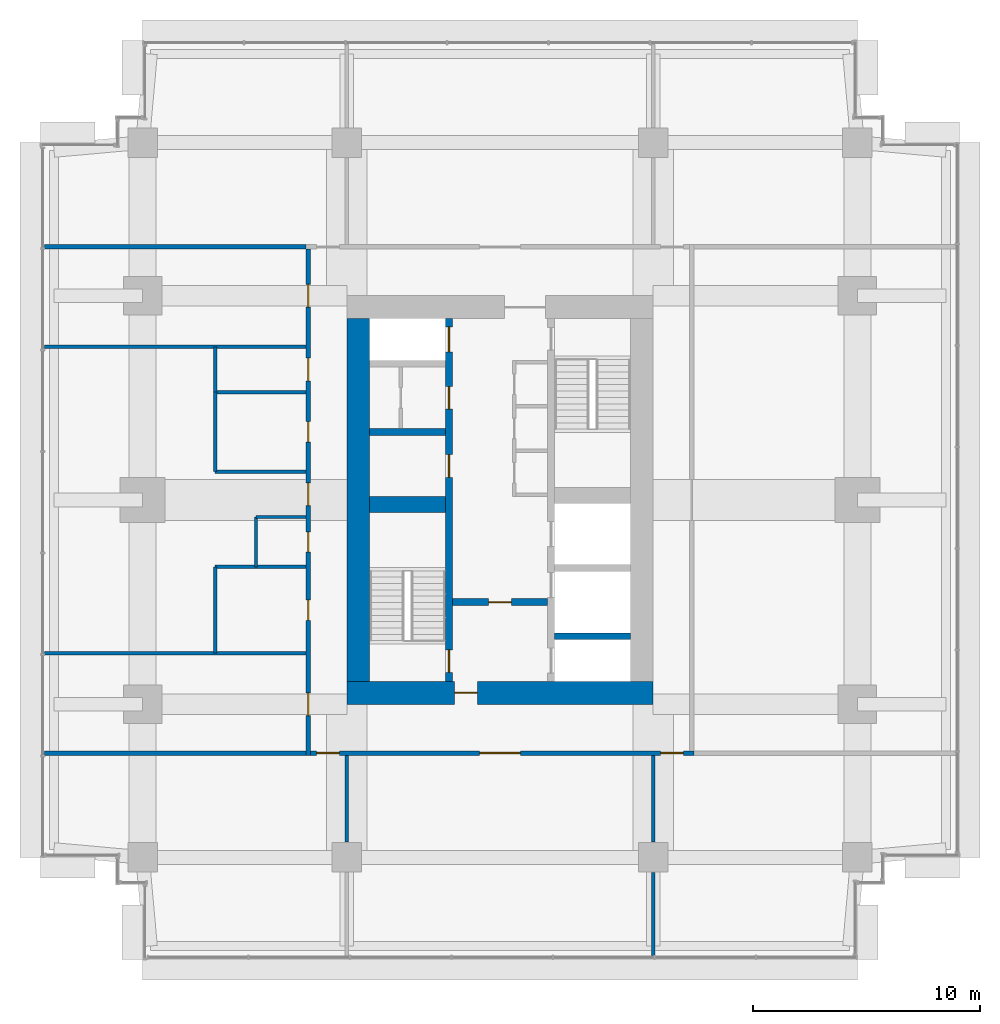
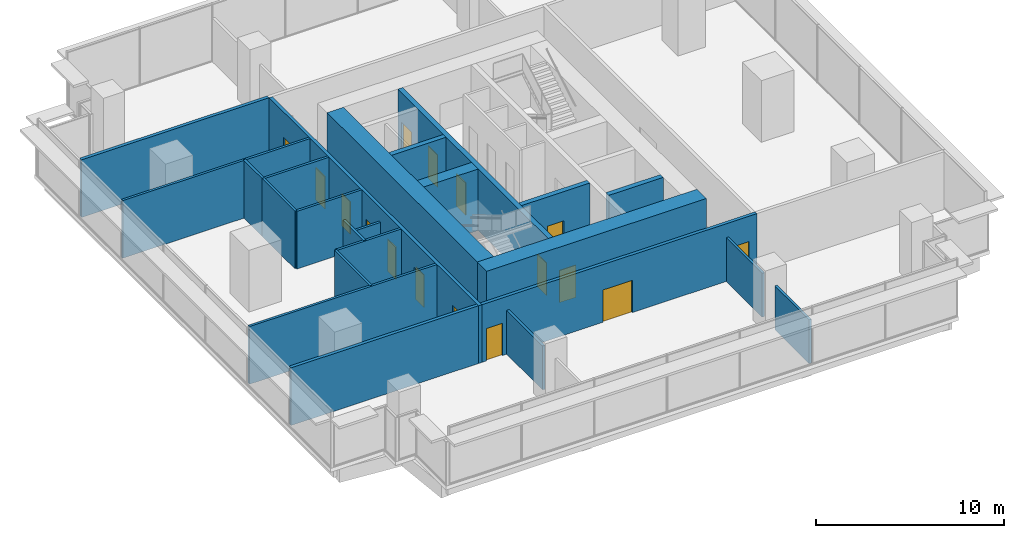
# One storey, part 11 of 13: 24 walls, 16 doors, 16 openings.
"""IFC4 building model written with IfcOpenShell, lengths in metres."""

from ifc_helpers import new_model, si_unit, direction, frame, frame_2d, origin, place, context, subcontext, project, spatial, rectangle, extrude, material, layer, layer_set, type_object, element, fill, save


model = new_model("IFC4")

# Units and contexts
model_context = context("Model", 3, precision=1e-05, world=origin(), true_north=direction((0.0, 1.0)))
body_context = subcontext(model_context, "Body", "Model", "MODEL_VIEW")
ifc_project = project(units=[si_unit("LENGTHUNIT", "METRE"), si_unit("AREAUNIT", "SQUARE_METRE"), si_unit("VOLUMEUNIT", "CUBIC_METRE"), si_unit("PLANEANGLEUNIT", "RADIAN"), si_unit("MASSUNIT", "GRAM", prefix="KILO")], contexts=[model_context])

# Site, building, storey
site_placement = place(None, origin())
site = spatial("IfcSite", under=ifc_project, at=site_placement, CompositionType="ELEMENT")
building_placement = place(site_placement, origin())
building = spatial("IfcBuilding", under=site, at=building_placement, Name="Namib Vertical Campus", CompositionType="ELEMENT")
storey_placement = place(building_placement, frame((0.0, 0.0, 293.0)))
storey = spatial("IfcBuildingStorey", under=building, at=storey_placement, Name="L69", CompositionType="ELEMENT", Elevation=293.0)

# Wall, openings, doors
ifc_material_1 = material(Name="Concrete C60/75", Category="concrete")
ifc_layer_1 = layer(ifc_material_1, 0.300048828125)
ifc_layer_set_1 = layer_set([ifc_layer_1], Name="Concrete C60/75")
wall_type_1 = type_object("IfcWallType", Name="Core inner wall 300", PredefinedType="SHEAR", material=ifc_layer_set_1)
wall_1_placement = place(storey_placement, frame((18.0, 12.25, 0.0), z_axis=(0.0, 0.0, 1.0), x_axis=(0.0, 1.0, 0.0)))
wall_1 = element("IfcWall", 1, at=wall_1_placement, inside=storey, type_object=wall_type_1, Name="Core inner wall A L69 W1", PredefinedType="SHEAR", context=body_context, shape_type="SweptSolid", body=[
    extrude(rectangle(XDim=16.0, YDim=0.300048828125, at=frame_2d((8.0, 0.0))), origin(), (0.0, 0.0, 1.0), 4.0),
])
opening_1_placement = place(wall_1_placement, frame((0.39990234375, 0.0, 0.0)))
opening_1 = element("IfcOpeningElement", 2, at=opening_1_placement, cuts=wall_1, Name="Opening FD1", PredefinedType="OPENING", context=body_context, shape_type="SweptSolid", body=[
    extrude(rectangle(XDim=1.0, YDim=2.10009765625, at=frame_2d((0.5, 1.050048828125))), frame((0.0, 0.159912109375, 0.0), z_axis=(0.0, -1.0, 0.0), x_axis=(1.0, 0.0, 0.0)), (0.0, 0.0, 1.0), 0.320068359375),
])
opening_2_placement = place(wall_1_placement, frame((14.52490234375, 0.0, 0.0)))
opening_2 = element("IfcOpeningElement", 3, at=opening_2_placement, cuts=wall_1, Name="Opening LD1", PredefinedType="OPENING", context=body_context, shape_type="SweptSolid", body=[
    extrude(rectangle(XDim=1.10009765625, YDim=2.10009765625, at=frame_2d((0.550048828125, 1.050048828125))), frame((0.0, 0.159912109375, 0.0), z_axis=(0.0, -1.0, 0.0), x_axis=(1.0, 0.0, 0.0)), (0.0, 0.0, 1.0), 0.320068359375),
])
opening_3_placement = place(wall_1_placement, frame((9.0, 0.0, 0.0)))
opening_3 = element("IfcOpeningElement", 4, at=opening_3_placement, cuts=wall_1, Name="Opening D1", PredefinedType="OPENING", context=body_context, shape_type="SweptSolid", body=[
    extrude(rectangle(XDim=1.0, YDim=2.10009765625, at=frame_2d((0.5, 1.050048828125))), frame((0.0, 0.159912109375, 0.0), z_axis=(0.0, -1.0, 0.0), x_axis=(1.0, 0.0, 0.0)), (0.0, 0.0, 1.0), 0.320068359375),
])
opening_4_placement = place(wall_1_placement, frame((12.0, 0.0, 0.0)))
opening_4 = element("IfcOpeningElement", 5, at=opening_4_placement, cuts=wall_1, Name="Opening D1", PredefinedType="OPENING", context=body_context, shape_type="SweptSolid", body=[
    extrude(rectangle(XDim=1.0, YDim=2.10009765625, at=frame_2d((0.5, 1.050048828125))), frame((0.0, 0.159912109375, 0.0), z_axis=(0.0, -1.0, 0.0), x_axis=(1.0, 0.0, 0.0)), (0.0, 0.0, 1.0), 0.320068359375),
])
ifc_material_2 = material(Name="Timber door leaf", Category="wood")
door_type_1 = type_object("IfcDoorType", Name="Door single 1000x2100", OperationType="SINGLE_SWING_LEFT", PredefinedType="DOOR", material=ifc_material_2)
door_1_placement = place(opening_3_placement, origin())
door_1 = element("IfcDoor", 6, at=door_1_placement, inside=storey, type_object=door_type_1, Name="Door D1 Staff pantry A L69 P1", OperationType="SINGLE_SWING_LEFT", OverallHeight=2.10009765625, OverallWidth=1.0, PredefinedType="DOOR", context=body_context, shape_type="SweptSolid", body=[
    extrude(rectangle(XDim=1.0, YDim=2.10009765625, at=frame_2d((0.5, 1.050048828125))), frame((0.0, 0.02490234375, 0.0), z_axis=(0.0, -1.0, 0.0), x_axis=(1.0, 0.0, 0.0)), (0.0, 0.0, 1.0), 0.050048828125),
])
fill(opening_3, door_1)
door_2_placement = place(opening_4_placement, origin())
door_2 = element("IfcDoor", 7, at=door_2_placement, inside=storey, type_object=door_type_1, Name="Door D1 Records store A L69 P2", OperationType="SINGLE_SWING_LEFT", OverallHeight=2.10009765625, OverallWidth=1.0, PredefinedType="DOOR", context=body_context, shape_type="SweptSolid", body=[
    extrude(rectangle(XDim=1.0, YDim=2.10009765625, at=frame_2d((0.5, 1.050048828125))), frame((0.0, 0.02490234375, 0.0), z_axis=(0.0, -1.0, 0.0), x_axis=(1.0, 0.0, 0.0)), (0.0, 0.0, 1.0), 0.050048828125),
])
fill(opening_4, door_2)
ifc_material_3 = material(Name="Steel fire door", Category="steel")
door_type_2 = type_object("IfcDoorType", Name="Fire door 1000x2100", OperationType="SINGLE_SWING_RIGHT", PredefinedType="DOOR", material=ifc_material_3)
door_3_placement = place(opening_1_placement, origin())
door_3 = element("IfcDoor", 8, at=door_3_placement, inside=storey, type_object=door_type_2, Name="Stair door FD1 A L69 S1", OperationType="SINGLE_SWING_LEFT", OverallHeight=2.10009765625, OverallWidth=1.0, PredefinedType="DOOR", context=body_context, shape_type="SweptSolid", body=[
    extrude(rectangle(XDim=1.0, YDim=2.10009765625, at=frame_2d((0.5, 1.050048828125))), frame((0.0, 0.02490234375, 0.0), z_axis=(0.0, -1.0, 0.0), x_axis=(1.0, 0.0, 0.0)), (0.0, 0.0, 1.0), 0.050048828125),
])
fill(opening_1, door_3)
ifc_material_4 = material(Name="Stainless steel lift door", Category="steel")
door_type_3 = type_object("IfcDoorType", Name="Lift landing door 1100x2100", OperationType="DOUBLE_DOOR_SLIDING", PredefinedType="DOOR", material=ifc_material_4)
door_4_placement = place(opening_2_placement, origin())
door_4 = element("IfcDoor", 9, at=door_4_placement, inside=storey, type_object=door_type_3, Name="Lift landing door LD1 A-P3 L69", OperationType="DOUBLE_DOOR_SLIDING", OverallHeight=2.10009765625, OverallWidth=1.10009765625, PredefinedType="DOOR", context=body_context, shape_type="SweptSolid", body=[
    extrude(rectangle(XDim=1.10009765625, YDim=2.10009765625, at=frame_2d((0.550048828125, 1.050048828125))), frame((0.0, 0.02490234375, 0.0), z_axis=(0.0, -1.0, 0.0), x_axis=(1.0, 0.0, 0.0)), (0.0, 0.0, 1.0), 0.050048828125),
])
fill(opening_2, door_4)

# Wall, opening, door
wall_2_placement = place(storey_placement, frame((18.14990234375, 15.75, 0.0), z_axis=(0.0, 0.0, 1.0), x_axis=(1.0, 0.0, 0.0)))
wall_2 = element("IfcWall", 10, at=wall_2_placement, inside=storey, type_object=wall_type_1, Name="Core inner wall A L69 W4", PredefinedType="SHEAR", context=body_context, shape_type="SweptSolid", body=[
    extrude(rectangle(XDim=4.2001953125, YDim=0.300048828125, at=frame_2d((2.10009765625, 0.0))), origin(), (0.0, 0.0, 1.0), 4.0),
])
opening_5_placement = place(wall_2_placement, frame((1.60009765625, 0.0, 0.0)))
opening_5 = element("IfcOpeningElement", 11, at=opening_5_placement, cuts=wall_2, Name="Opening FD5", PredefinedType="OPENING", context=body_context, shape_type="SweptSolid", body=[
    extrude(rectangle(XDim=1.0, YDim=2.10009765625, at=frame_2d((0.5, 1.050048828125))), frame((0.0, 0.159912109375, 0.0), z_axis=(0.0, -1.0, 0.0), x_axis=(1.0, 0.0, 0.0)), (0.0, 0.0, 1.0), 0.320068359375),
])
ifc_material_5 = material(Name="Steel fire door", Category="steel")
door_type_4 = type_object("IfcDoorType", Name="Fire door 1000x2100 120 min", OperationType="SINGLE_SWING_RIGHT", PredefinedType="DOOR", material=ifc_material_5)
door_5_placement = place(opening_5_placement, frame((1.0, 0.0, 0.0), z_axis=(0.0, 0.0, 1.0), x_axis=(-1.0, 0.0, 0.0)))
door_5 = element("IfcDoor", 12, at=door_5_placement, inside=storey, type_object=door_type_4, Name="Lobby door FD5 A L69", OperationType="SINGLE_SWING_RIGHT", OverallHeight=2.10009765625, OverallWidth=1.0, PredefinedType="DOOR", context=body_context, shape_type="SweptSolid", body=[
    extrude(rectangle(XDim=1.0, YDim=2.10009765625, at=frame_2d((0.5, 1.050048828125))), frame((0.0, 0.02490234375, 0.0), z_axis=(0.0, -1.0, 0.0), x_axis=(1.0, 0.0, 0.0)), (0.0, 0.0, 1.0), 0.050048828125),
])
fill(opening_5, door_5)

# Walls
for number, where, z_axis, x_axis, name in (
    (13, (22.64990234375, 14.25, 0.0), (0.0, 0.0, 1.0), (1.0, 0.0, 0.0), "Core inner wall A L69 W5"),
    (14, (14.5, 23.25, 0.0), (0.0, 0.0, 1.0), (1.0, 0.0, 0.0), "Core inner wall A L69 W8"),
):
    element("IfcWall", number, at=place(storey_placement, frame(where, z_axis=z_axis, x_axis=x_axis)), inside=storey, type_object=wall_type_1, Name=name, PredefinedType="SHEAR", context=body_context, shape_type="SweptSolid", body=[
        extrude(rectangle(XDim=3.35009765625, YDim=0.300048828125, at=frame_2d((1.675048828125, 0.0))), origin(), (0.0, 0.0, 1.0), 4.0),
    ])
ifc_material_6 = material(Name="Concrete C60/75", Category="concrete")
ifc_layer_2 = layer(ifc_material_6, 0.699951171875)
ifc_layer_set_2 = layer_set([ifc_layer_2], Name="Concrete C60/75")
wall_type_2 = type_object("IfcWallType", Name="Core shear wall 700", PredefinedType="SHEAR", material=ifc_layer_set_2)
wall_3_placement = place(storey_placement, frame((14.5, 20.050048828125, 0.0), z_axis=(0.0, 0.0, 1.0), x_axis=(1.0, 0.0, 0.0)))
element("IfcWall", 15, at=wall_3_placement, inside=storey, type_object=wall_type_2, Name="Core shear wall A L69 W3", PredefinedType="SHEAR", context=body_context, shape_type="SweptSolid", body=[
    extrude(rectangle(XDim=3.35009765625, YDim=0.699951171875, at=frame_2d((1.675048828125, 0.0))), origin(), (0.0, 0.0, 1.0), 4.0),
])

# Wall, opening, door
ifc_material_7 = material(Name="Concrete C60/75", Category="concrete")
ifc_layer_3 = layer(ifc_material_7, 1.0)
ifc_layer_set_3 = layer_set([ifc_layer_3], Name="Concrete C60/75")
wall_type_3 = type_object("IfcWallType", Name="Core wall 1000", PredefinedType="SHEAR", material=ifc_layer_set_3)
wall_4_placement = place(storey_placement, frame((13.5, 11.75, 0.0), z_axis=(0.0, 0.0, 1.0), x_axis=(1.0, 0.0, 0.0)))
wall_4 = element("IfcWall", 16, at=wall_4_placement, inside=storey, type_object=wall_type_3, Name="Core wall A L69 1", PredefinedType="SHEAR", context=body_context, shape_type="SweptSolid", body=[
    extrude(rectangle(XDim=13.5, YDim=1.0, at=frame_2d((6.75, 0.0))), origin(), (0.0, 0.0, 1.0), 4.0),
])
opening_6_placement = place(wall_4_placement, frame((4.75, 0.0, 0.0)))
opening_6 = element("IfcOpeningElement", 17, at=opening_6_placement, cuts=wall_4, Name="Opening FD5", PredefinedType="OPENING", context=body_context, shape_type="SweptSolid", body=[
    extrude(rectangle(XDim=1.0, YDim=2.10009765625, at=frame_2d((0.5, 1.050048828125))), frame((0.0, 0.510009765625, 0.0), z_axis=(0.0, -1.0, 0.0), x_axis=(1.0, 0.0, 0.0)), (0.0, 0.0, 1.0), 1.02001953125),
])
door_6_placement = place(opening_6_placement, origin())
door_6 = element("IfcDoor", 18, at=door_6_placement, inside=storey, type_object=door_type_4, Name="Firefighting lobby door FD5 A L69", OperationType="SINGLE_SWING_LEFT", OverallHeight=2.10009765625, OverallWidth=1.0, PredefinedType="DOOR", context=body_context, shape_type="SweptSolid", body=[
    extrude(rectangle(XDim=1.0, YDim=2.10009765625, at=frame_2d((0.5, 1.050048828125))), frame((0.0, 0.02490234375, 0.0), z_axis=(0.0, -1.0, 0.0), x_axis=(1.0, 0.0, 0.0)), (0.0, 0.0, 1.0), 0.050048828125),
])
fill(opening_6, door_6)

# Wall
wall_5_placement = place(storey_placement, frame((14.0, 28.25, 0.0), z_axis=(0.0, 0.0, 1.0), x_axis=(0.0, -1.0, 0.0)))
element("IfcWall", 19, at=wall_5_placement, inside=storey, type_object=wall_type_3, Name="Core wall A L69 4", PredefinedType="SHEAR", context=body_context, shape_type="SweptSolid", body=[
    extrude(rectangle(XDim=16.0, YDim=1.0, at=frame_2d((8.0, 0.0))), origin(), (0.0, 0.0, 1.0), 4.0),
])

# Wall, openings, doors
ifc_material_8 = material(Name="Concrete masonry", Category="masonry")
ifc_layer_4 = layer(ifc_material_8, 0.199951171875)
ifc_layer_set_4 = layer_set([ifc_layer_4], Name="Corridor wall 200")
wall_type_4 = type_object("IfcWallType", Name="Corridor wall 200", PredefinedType="SOLIDWALL", material=ifc_layer_set_4)
wall_6_placement = place(storey_placement, frame((11.89990234375, 9.10009765625, 0.0), z_axis=(0.0, 0.0, 1.0), x_axis=(1.0, 0.0, 0.0)))
wall_6 = element("IfcWall", 20, at=wall_6_placement, inside=storey, type_object=wall_type_4, Name="Corridor wall A L69 CS", PredefinedType="SOLIDWALL", context=body_context, shape_type="SweptSolid", body=[
    extrude(rectangle(XDim=16.900146484375, YDim=0.199951171875, at=frame_2d((8.4501953125, 0.0))), origin(), (0.0, 0.0, 1.0), 3.75),
])
opening_7_placement = place(wall_6_placement, frame((0.27490234375, 0.0, 0.0)))
opening_7 = element("IfcOpeningElement", 21, at=opening_7_placement, cuts=wall_6, Name="Opening CD1", PredefinedType="OPENING", context=body_context, shape_type="SweptSolid", body=[
    extrude(rectangle(XDim=1.0, YDim=2.10009765625, at=frame_2d((0.5, 1.050048828125))), frame((0.0, 0.10986328125, 0.0), z_axis=(0.0, -1.0, 0.0), x_axis=(1.0, 0.0, 0.0)), (0.0, 0.0, 1.0), 0.219970703125),
])
opening_8_placement = place(wall_6_placement, frame((7.449951171875, 0.0, 0.0)))
opening_8 = element("IfcOpeningElement", 22, at=opening_8_placement, cuts=wall_6, Name="Opening CD2", PredefinedType="OPENING", context=body_context, shape_type="SweptSolid", body=[
    extrude(rectangle(XDim=1.800048828125, YDim=2.10009765625, at=frame_2d((0.89990234375, 1.050048828125))), frame((0.0, 0.10986328125, 0.0), z_axis=(0.0, -1.0, 0.0), x_axis=(1.0, 0.0, 0.0)), (0.0, 0.0, 1.0), 0.219970703125),
])
opening_9_placement = place(wall_6_placement, frame((15.425048828125, 0.0, 0.0)))
opening_9 = element("IfcOpeningElement", 23, at=opening_9_placement, cuts=wall_6, Name="Opening CD1", PredefinedType="OPENING", context=body_context, shape_type="SweptSolid", body=[
    extrude(rectangle(XDim=1.0, YDim=2.10009765625, at=frame_2d((0.5, 1.050048828125))), frame((0.0, 0.10986328125, 0.0), z_axis=(0.0, -1.0, 0.0), x_axis=(1.0, 0.0, 0.0)), (0.0, 0.0, 1.0), 0.219970703125),
])
ifc_material_9 = material(Name="Timber fire door leaf", Category="wood")
door_type_5 = type_object("IfcDoorType", Name="Corridor door 1000x2100 20 min", OperationType="SINGLE_SWING_LEFT", PredefinedType="DOOR", material=ifc_material_9)
door_7_placement = place(opening_7_placement, frame((1.0, 0.0, 0.0), z_axis=(0.0, 0.0, 1.0), x_axis=(-1.0, 0.0, 0.0)))
door_7 = element("IfcDoor", 24, at=door_7_placement, inside=storey, type_object=door_type_5, Name="Door CD1 A69-01", OperationType="SINGLE_SWING_LEFT", OverallHeight=2.10009765625, OverallWidth=1.0, PredefinedType="DOOR", context=body_context, shape_type="SweptSolid", body=[
    extrude(rectangle(XDim=1.0, YDim=2.10009765625, at=frame_2d((0.5, 1.050048828125))), frame((0.0, 0.02490234375, 0.0), z_axis=(0.0, -1.0, 0.0), x_axis=(1.0, 0.0, 0.0)), (0.0, 0.0, 1.0), 0.050048828125),
])
fill(opening_7, door_7)
door_8_placement = place(opening_9_placement, frame((1.0, 0.0, 0.0), z_axis=(0.0, 0.0, 1.0), x_axis=(-1.0, 0.0, 0.0)))
door_8 = element("IfcDoor", 25, at=door_8_placement, inside=storey, type_object=door_type_5, Name="Door CD1 A69-03", OperationType="SINGLE_SWING_RIGHT", OverallHeight=2.10009765625, OverallWidth=1.0, PredefinedType="DOOR", context=body_context, shape_type="SweptSolid", body=[
    extrude(rectangle(XDim=1.0, YDim=2.10009765625, at=frame_2d((0.5, 1.050048828125))), frame((0.0, 0.02490234375, 0.0), z_axis=(0.0, -1.0, 0.0), x_axis=(1.0, 0.0, 0.0)), (0.0, 0.0, 1.0), 0.050048828125),
])
fill(opening_9, door_8)
ifc_material_10 = material(Name="Timber fire door leaf", Category="wood")
door_type_6 = type_object("IfcDoorType", Name="Corridor door double 1800x2100 20 min", OperationType="DOUBLE_DOOR_SINGLE_SWING", PredefinedType="DOOR", material=ifc_material_10)
door_9_placement = place(opening_8_placement, frame((1.800048828125, 0.0, 0.0), z_axis=(0.0, 0.0, 1.0), x_axis=(-1.0, 0.0, 0.0)))
door_9 = element("IfcDoor", 26, at=door_9_placement, inside=storey, type_object=door_type_6, Name="Door CD2 A69-02", OperationType="DOUBLE_DOOR_SINGLE_SWING", OverallHeight=2.10009765625, OverallWidth=1.800048828125, PredefinedType="DOOR", context=body_context, shape_type="SweptSolid", body=[
    extrude(rectangle(XDim=1.800048828125, YDim=2.10009765625, at=frame_2d((0.89990234375, 1.050048828125))), frame((0.0, 0.02490234375, 0.0), z_axis=(0.0, -1.0, 0.0), x_axis=(1.0, 0.0, 0.0)), (0.0, 0.0, 1.0), 0.050048828125),
])
fill(opening_8, door_9)

wall_7_placement = place(storey_placement, frame((11.800048828125, 31.300048828125, 0.0), z_axis=(0.0, 0.0, 1.0), x_axis=(0.0, -1.0, 0.0)))
wall_7 = element("IfcWall", 27, at=wall_7_placement, inside=storey, type_object=wall_type_4, Name="Corridor wall A L69 CW", PredefinedType="SOLIDWALL", context=body_context, shape_type="SweptSolid", body=[
    extrude(rectangle(XDim=22.300048828125, YDim=0.199951171875, at=frame_2d((11.14990234375, 0.0))), origin(), (0.0, 0.0, 1.0), 3.75),
])
opening_10_placement = place(wall_7_placement, frame((19.550048828125, 0.0, 0.0)))
opening_10 = element("IfcOpeningElement", 28, at=opening_10_placement, cuts=wall_7, Name="Opening CD1", PredefinedType="OPENING", context=body_context, shape_type="SweptSolid", body=[
    extrude(rectangle(XDim=1.0, YDim=2.10009765625, at=frame_2d((0.5, 1.050048828125))), frame((0.0, 0.10986328125, 0.0), z_axis=(0.0, -1.0, 0.0), x_axis=(1.0, 0.0, 0.0)), (0.0, 0.0, 1.0), 0.219970703125),
])
opening_11_placement = place(wall_7_placement, frame((15.449951171875, 0.0, 0.0)))
opening_11 = element("IfcOpeningElement", 29, at=opening_11_placement, cuts=wall_7, Name="Opening CD3", PredefinedType="OPENING", context=body_context, shape_type="SweptSolid", body=[
    extrude(rectangle(XDim=0.89990234375, YDim=2.10009765625, at=frame_2d((0.449951171875, 1.050048828125))), frame((0.0, 0.10986328125, 0.0), z_axis=(0.0, -1.0, 0.0), x_axis=(1.0, 0.0, 0.0)), (0.0, 0.0, 1.0), 0.219970703125),
])
opening_12_placement = place(wall_7_placement, frame((12.449951171875, 0.0, 0.0)))
opening_12 = element("IfcOpeningElement", 30, at=opening_12_placement, cuts=wall_7, Name="Opening CD3", PredefinedType="OPENING", context=body_context, shape_type="SweptSolid", body=[
    extrude(rectangle(XDim=0.89990234375, YDim=2.10009765625, at=frame_2d((0.449951171875, 1.050048828125))), frame((0.0, 0.10986328125, 0.0), z_axis=(0.0, -1.0, 0.0), x_axis=(1.0, 0.0, 0.0)), (0.0, 0.0, 1.0), 0.219970703125),
])
opening_13_placement = place(wall_7_placement, frame((7.60009765625, 0.0, 0.0)))
opening_13 = element("IfcOpeningElement", 31, at=opening_13_placement, cuts=wall_7, Name="Opening CD3", PredefinedType="OPENING", context=body_context, shape_type="SweptSolid", body=[
    extrude(rectangle(XDim=0.89990234375, YDim=2.10009765625, at=frame_2d((0.449951171875, 1.050048828125))), frame((0.0, 0.10986328125, 0.0), z_axis=(0.0, -1.0, 0.0), x_axis=(1.0, 0.0, 0.0)), (0.0, 0.0, 1.0), 0.219970703125),
])
opening_14_placement = place(wall_7_placement, frame((4.800048828125, 0.0, 0.0)))
opening_14 = element("IfcOpeningElement", 32, at=opening_14_placement, cuts=wall_7, Name="Opening CD1", PredefinedType="OPENING", context=body_context, shape_type="SweptSolid", body=[
    extrude(rectangle(XDim=1.0, YDim=2.10009765625, at=frame_2d((0.5, 1.050048828125))), frame((0.0, 0.10986328125, 0.0), z_axis=(0.0, -1.0, 0.0), x_axis=(1.0, 0.0, 0.0)), (0.0, 0.0, 1.0), 0.219970703125),
])
opening_15_placement = place(wall_7_placement, frame((10.300048828125, 0.0, 0.0)))
opening_15 = element("IfcOpeningElement", 33, at=opening_15_placement, cuts=wall_7, Name="Opening CD1", PredefinedType="OPENING", context=body_context, shape_type="SweptSolid", body=[
    extrude(rectangle(XDim=1.0, YDim=2.10009765625, at=frame_2d((0.5, 1.050048828125))), frame((0.0, 0.10986328125, 0.0), z_axis=(0.0, -1.0, 0.0), x_axis=(1.0, 0.0, 0.0)), (0.0, 0.0, 1.0), 0.219970703125),
])
opening_16_placement = place(wall_7_placement, frame((1.550048828125, 0.0, 0.0)))
opening_16 = element("IfcOpeningElement", 34, at=opening_16_placement, cuts=wall_7, Name="Opening CD1", PredefinedType="OPENING", context=body_context, shape_type="SweptSolid", body=[
    extrude(rectangle(XDim=1.0, YDim=2.10009765625, at=frame_2d((0.5, 1.050048828125))), frame((0.0, 0.10986328125, 0.0), z_axis=(0.0, -1.0, 0.0), x_axis=(1.0, 0.0, 0.0)), (0.0, 0.0, 1.0), 0.219970703125),
])
door_10_placement = place(opening_10_placement, frame((1.0, 0.0, 0.0), z_axis=(0.0, 0.0, 1.0), x_axis=(-1.0, 0.0, 0.0)))
door_10 = element("IfcDoor", 35, at=door_10_placement, inside=storey, type_object=door_type_5, Name="Door CD1 A69-08", OperationType="SINGLE_SWING_RIGHT", OverallHeight=2.10009765625, OverallWidth=1.0, PredefinedType="DOOR", context=body_context, shape_type="SweptSolid", body=[
    extrude(rectangle(XDim=1.0, YDim=2.10009765625, at=frame_2d((0.5, 1.050048828125))), frame((0.0, 0.02490234375, 0.0), z_axis=(0.0, -1.0, 0.0), x_axis=(1.0, 0.0, 0.0)), (0.0, 0.0, 1.0), 0.050048828125),
])
fill(opening_10, door_10)
door_11_placement = place(opening_14_placement, frame((1.0, 0.0, 0.0), z_axis=(0.0, 0.0, 1.0), x_axis=(-1.0, 0.0, 0.0)))
door_11 = element("IfcDoor", 36, at=door_11_placement, inside=storey, type_object=door_type_5, Name="Door CD1 A69-12", OperationType="SINGLE_SWING_RIGHT", OverallHeight=2.10009765625, OverallWidth=1.0, PredefinedType="DOOR", context=body_context, shape_type="SweptSolid", body=[
    extrude(rectangle(XDim=1.0, YDim=2.10009765625, at=frame_2d((0.5, 1.050048828125))), frame((0.0, 0.02490234375, 0.0), z_axis=(0.0, -1.0, 0.0), x_axis=(1.0, 0.0, 0.0)), (0.0, 0.0, 1.0), 0.050048828125),
])
fill(opening_14, door_11)
door_12_placement = place(opening_15_placement, frame((1.0, 0.0, 0.0), z_axis=(0.0, 0.0, 1.0), x_axis=(-1.0, 0.0, 0.0)))
door_12 = element("IfcDoor", 37, at=door_12_placement, inside=storey, type_object=door_type_5, Name="Door CD1 A69-13", OperationType="SINGLE_SWING_RIGHT", OverallHeight=2.10009765625, OverallWidth=1.0, PredefinedType="DOOR", context=body_context, shape_type="SweptSolid", body=[
    extrude(rectangle(XDim=1.0, YDim=2.10009765625, at=frame_2d((0.5, 1.050048828125))), frame((0.0, 0.02490234375, 0.0), z_axis=(0.0, -1.0, 0.0), x_axis=(1.0, 0.0, 0.0)), (0.0, 0.0, 1.0), 0.050048828125),
])
fill(opening_15, door_12)
door_13_placement = place(opening_16_placement, frame((1.0, 0.0, 0.0), z_axis=(0.0, 0.0, 1.0), x_axis=(-1.0, 0.0, 0.0)))
door_13 = element("IfcDoor", 38, at=door_13_placement, inside=storey, type_object=door_type_5, Name="Door CD1 A69-14", OperationType="SINGLE_SWING_RIGHT", OverallHeight=2.10009765625, OverallWidth=1.0, PredefinedType="DOOR", context=body_context, shape_type="SweptSolid", body=[
    extrude(rectangle(XDim=1.0, YDim=2.10009765625, at=frame_2d((0.5, 1.050048828125))), frame((0.0, 0.02490234375, 0.0), z_axis=(0.0, -1.0, 0.0), x_axis=(1.0, 0.0, 0.0)), (0.0, 0.0, 1.0), 0.050048828125),
])
fill(opening_16, door_13)
ifc_material_11 = material(Name="Timber fire door leaf", Category="wood")
door_type_7 = type_object("IfcDoorType", Name="Corridor toilet door 900x2100 20 min", OperationType="SINGLE_SWING_LEFT", PredefinedType="DOOR", material=ifc_material_11)
door_14_placement = place(opening_11_placement, frame((0.89990234375, 0.0, 0.0), z_axis=(0.0, 0.0, 1.0), x_axis=(-1.0, 0.0, 0.0)))
door_14 = element("IfcDoor", 39, at=door_14_placement, inside=storey, type_object=door_type_7, Name="Door CD3 A69-09", OperationType="SINGLE_SWING_RIGHT", OverallHeight=2.10009765625, OverallWidth=0.89990234375, PredefinedType="DOOR", context=body_context, shape_type="SweptSolid", body=[
    extrude(rectangle(XDim=0.89990234375, YDim=2.10009765625, at=frame_2d((0.449951171875, 1.050048828125))), frame((0.0, 0.02490234375, 0.0), z_axis=(0.0, -1.0, 0.0), x_axis=(1.0, 0.0, 0.0)), (0.0, 0.0, 1.0), 0.050048828125),
])
fill(opening_11, door_14)
door_15_placement = place(opening_12_placement, frame((0.89990234375, 0.0, 0.0), z_axis=(0.0, 0.0, 1.0), x_axis=(-1.0, 0.0, 0.0)))
door_15 = element("IfcDoor", 40, at=door_15_placement, inside=storey, type_object=door_type_7, Name="Door CD3 A69-10", OperationType="SINGLE_SWING_RIGHT", OverallHeight=2.10009765625, OverallWidth=0.89990234375, PredefinedType="DOOR", context=body_context, shape_type="SweptSolid", body=[
    extrude(rectangle(XDim=0.89990234375, YDim=2.10009765625, at=frame_2d((0.449951171875, 1.050048828125))), frame((0.0, 0.02490234375, 0.0), z_axis=(0.0, -1.0, 0.0), x_axis=(1.0, 0.0, 0.0)), (0.0, 0.0, 1.0), 0.050048828125),
])
fill(opening_12, door_15)
door_16_placement = place(opening_13_placement, frame((0.89990234375, 0.0, 0.0), z_axis=(0.0, 0.0, 1.0), x_axis=(-1.0, 0.0, 0.0)))
door_16 = element("IfcDoor", 41, at=door_16_placement, inside=storey, type_object=door_type_7, Name="Door CD3 A69-11", OperationType="SINGLE_SWING_RIGHT", OverallHeight=2.10009765625, OverallWidth=0.89990234375, PredefinedType="DOOR", context=body_context, shape_type="SweptSolid", body=[
    extrude(rectangle(XDim=0.89990234375, YDim=2.10009765625, at=frame_2d((0.449951171875, 1.050048828125))), frame((0.0, 0.02490234375, 0.0), z_axis=(0.0, -1.0, 0.0), x_axis=(1.0, 0.0, 0.0)), (0.0, 0.0, 1.0), 0.050048828125),
])
fill(opening_13, door_16)

# Walls
for number, where, z_axis, x_axis, name in (
    (42, (0.179931640625, 9.10009765625, 0.0), (0.0, 0.0, 1.0), (1.0, 0.0, 0.0), "Partition A L69 BSW"),
    (43, (0.179931640625, 31.39990234375, 0.0), (0.0, 0.0, 1.0), (1.0, 0.0, 0.0), "Partition A L69 BNW"),
):
    element("IfcWall", number, at=place(storey_placement, frame(where, z_axis=z_axis, x_axis=x_axis)), inside=storey, type_object=wall_type_4, Name=name, PredefinedType="SOLIDWALL", context=body_context, shape_type="SweptSolid", body=[
        extrude(rectangle(XDim=11.52001953125, YDim=0.199951171875, at=frame_2d((5.760009765625, 0.0))), origin(), (0.0, 0.0, 1.0), 3.75),
    ])
ifc_material_12 = material(Name="Gypsum board on steel studs", Category="steel")
ifc_layer_5 = layer(ifc_material_12, 0.14990234375)
ifc_layer_set_5 = layer_set([ifc_layer_5], Name="Gypsum board on steel studs")
wall_type_5 = type_object("IfcWallType", Name="Partition 150", PredefinedType="PARTITIONING", material=ifc_layer_set_5)
wall_8_placement = place(storey_placement, frame((13.5, 5.169921875, 0.0), z_axis=(0.0, 0.0, 1.0), x_axis=(0.0, 1.0, 0.0)))
element("IfcWall", 44, at=wall_8_placement, inside=storey, type_object=wall_type_5, Name="Partition A L69 PS1", PredefinedType="PARTITIONING", context=body_context, shape_type="SweptSolid", body=[
    extrude(rectangle(XDim=3.830078125, YDim=0.14990234375, at=frame_2d((1.9150390625, 0.0))), origin(), (0.0, 0.0, 1.0), 2.85009765625),
])
wall_9_placement = place(storey_placement, frame((27.0, 0.179931640625, 0.0), z_axis=(0.0, 0.0, 1.0), x_axis=(0.0, 1.0, 0.0)))
element("IfcWall", 45, at=wall_9_placement, inside=storey, type_object=wall_type_5, Name="Partition A L69 PS2", PredefinedType="PARTITIONING", context=body_context, shape_type="SweptSolid", body=[
    extrude(rectangle(XDim=3.650146484375, YDim=0.14990234375, at=frame_2d((1.8251953125, 0.0))), origin(), (0.0, 0.0, 1.0), 2.85009765625),
])
wall_10_placement = place(storey_placement, frame((27.0, 5.169921875, 0.0), z_axis=(0.0, 0.0, 1.0), x_axis=(0.0, 1.0, 0.0)))
element("IfcWall", 46, at=wall_10_placement, inside=storey, type_object=wall_type_5, Name="Partition A L69 PS2", PredefinedType="PARTITIONING", context=body_context, shape_type="SweptSolid", body=[
    extrude(rectangle(XDim=3.830078125, YDim=0.14990234375, at=frame_2d((1.9150390625, 0.0))), origin(), (0.0, 0.0, 1.0), 2.85009765625),
])
for number, where, z_axis, x_axis, name in (
    (47, (0.179931640625, 13.5, 0.0), (0.0, 0.0, 1.0), (1.0, 0.0, 0.0), "Partition A L69 PW1"),
    (48, (0.179931640625, 27.0, 0.0), (0.0, 0.0, 1.0), (1.0, 0.0, 0.0), "Partition A L69 PW2"),
):
    element("IfcWall", number, at=place(storey_placement, frame(where, z_axis=z_axis, x_axis=x_axis)), inside=storey, type_object=wall_type_5, Name=name, PredefinedType="PARTITIONING", context=body_context, shape_type="SweptSolid", body=[
        extrude(rectangle(XDim=11.52001953125, YDim=0.14990234375, at=frame_2d((5.760009765625, 0.0))), origin(), (0.0, 0.0, 1.0), 3.75),
    ])
wall_11_placement = place(storey_placement, frame((11.699951171875, 17.300048828125, 0.0), z_axis=(0.0, 0.0, 1.0), x_axis=(-1.0, 0.0, 0.0)))
element("IfcWall", 49, at=wall_11_placement, inside=storey, type_object=wall_type_5, Name="Partition A L69 WR1", PredefinedType="PARTITIONING", context=body_context, shape_type="SweptSolid", body=[
    extrude(rectangle(XDim=4.0, YDim=0.14990234375, at=frame_2d((2.0, 0.0))), origin(), (0.0, 0.0, 1.0), 3.75),
])
wall_12_placement = place(storey_placement, frame((11.699951171875, 19.5, 0.0), z_axis=(0.0, 0.0, 1.0), x_axis=(-1.0, 0.0, 0.0)))
element("IfcWall", 50, at=wall_12_placement, inside=storey, type_object=wall_type_5, Name="Partition A L69 WR2", PredefinedType="PARTITIONING", context=body_context, shape_type="SweptSolid", body=[
    extrude(rectangle(XDim=2.199951171875, YDim=0.14990234375, at=frame_2d((1.10009765625, 0.0))), origin(), (0.0, 0.0, 1.0), 2.85009765625),
])
for number, where, z_axis, x_axis, name in (
    (51, (11.699951171875, 21.5, 0.0), (0.0, 0.0, 1.0), (-1.0, 0.0, 0.0), "Partition A L69 WR3"),
    (52, (11.699951171875, 25.0, 0.0), (0.0, 0.0, 1.0), (-1.0, 0.0, 0.0), "Partition A L69 WR4"),
):
    element("IfcWall", number, at=place(storey_placement, frame(where, z_axis=z_axis, x_axis=x_axis)), inside=storey, type_object=wall_type_5, Name=name, PredefinedType="PARTITIONING", context=body_context, shape_type="SweptSolid", body=[
        extrude(rectangle(XDim=4.0, YDim=0.14990234375, at=frame_2d((2.0, 0.0))), origin(), (0.0, 0.0, 1.0), 3.75),
    ])
wall_13_placement = place(storey_placement, frame((7.699951171875, 13.5, 0.0), z_axis=(0.0, 0.0, 1.0), x_axis=(0.0, 1.0, 0.0)))
element("IfcWall", 53, at=wall_13_placement, inside=storey, type_object=wall_type_5, Name="Partition A L69 WB1", PredefinedType="PARTITIONING", context=body_context, shape_type="SweptSolid", body=[
    extrude(rectangle(XDim=3.800048828125, YDim=0.14990234375, at=frame_2d((1.89990234375, 0.0))), origin(), (0.0, 0.0, 1.0), 3.75),
])
wall_14_placement = place(storey_placement, frame((9.5, 17.300048828125, 0.0), z_axis=(0.0, 0.0, 1.0), x_axis=(0.0, 1.0, 0.0)))
element("IfcWall", 54, at=wall_14_placement, inside=storey, type_object=wall_type_5, Name="Partition A L69 WB2", PredefinedType="PARTITIONING", context=body_context, shape_type="SweptSolid", body=[
    extrude(rectangle(XDim=2.199951171875, YDim=0.14990234375, at=frame_2d((1.10009765625, 0.0))), origin(), (0.0, 0.0, 1.0), 3.75),
])
wall_15_placement = place(storey_placement, frame((7.699951171875, 21.5, 0.0), z_axis=(0.0, 0.0, 1.0), x_axis=(0.0, 1.0, 0.0)))
element("IfcWall", 55, at=wall_15_placement, inside=storey, type_object=wall_type_5, Name="Partition A L69 WB3", PredefinedType="PARTITIONING", context=body_context, shape_type="SweptSolid", body=[
    extrude(rectangle(XDim=3.5, YDim=0.14990234375, at=frame_2d((1.75, 0.0))), origin(), (0.0, 0.0, 1.0), 3.75),
])
wall_16_placement = place(storey_placement, frame((7.699951171875, 25.0, 0.0), z_axis=(0.0, 0.0, 1.0), x_axis=(0.0, 1.0, 0.0)))
element("IfcWall", 56, at=wall_16_placement, inside=storey, type_object=wall_type_5, Name="Partition A L69 WB4", PredefinedType="PARTITIONING", context=body_context, shape_type="SweptSolid", body=[
    extrude(rectangle(XDim=2.0, YDim=0.14990234375, at=frame_2d((1.0, 0.0))), origin(), (0.0, 0.0, 1.0), 3.75),
])

save(model, "model.ifc")
